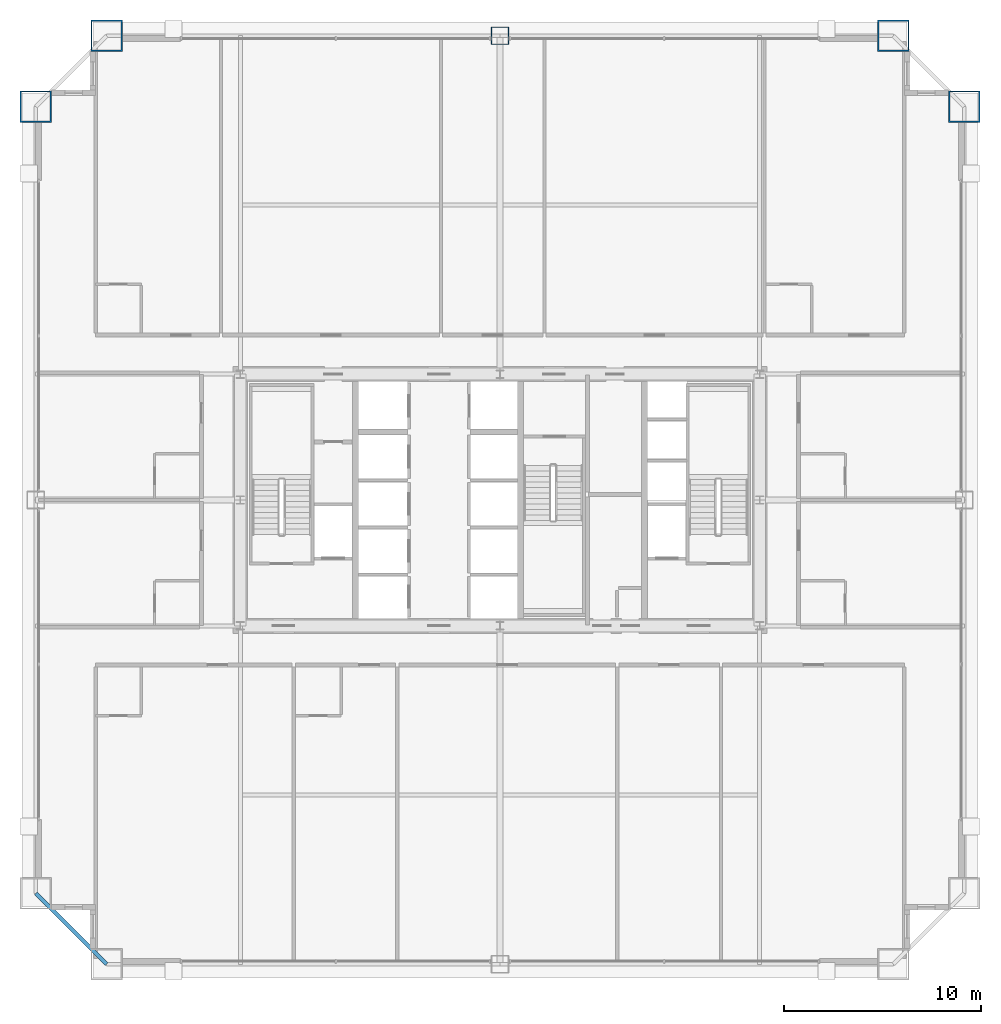
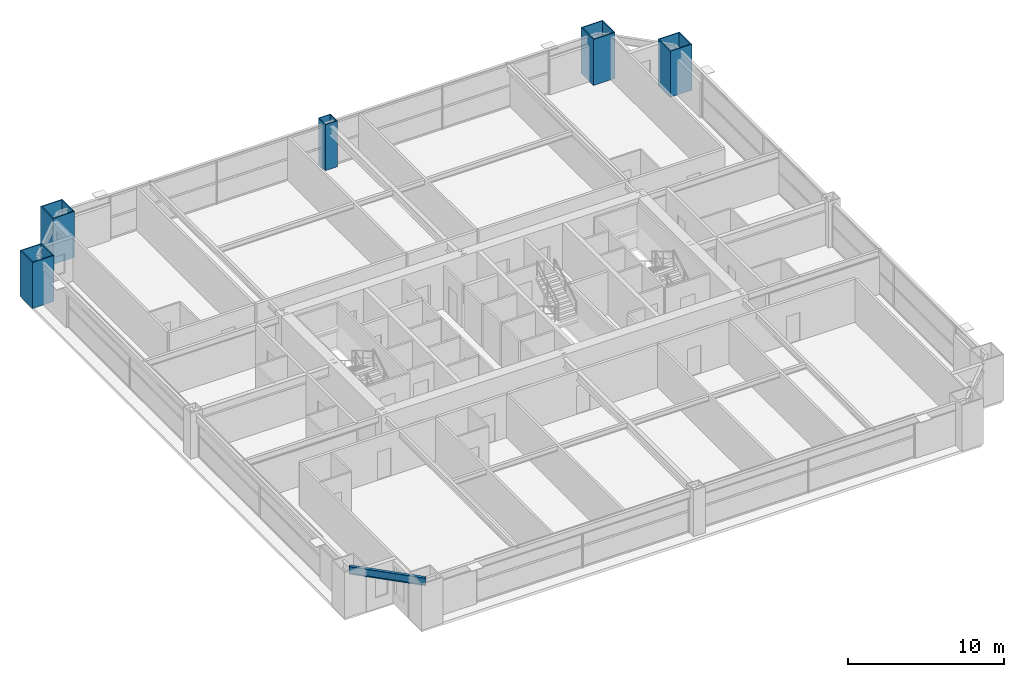
# One storey, part 3 of 39: 5 columns, 1 beam.
"""IFC4 building model written with IfcOpenShell, lengths in metres."""

from ifc_helpers import new_model, si_unit, direction, frame, origin, origin_2d, place, context, subcontext, project, spatial, hollow_rectangle, i_section, extrude, source, transform, mapped, material, material_profile, profile_set, type_object, element, save


model = new_model("IFC4")

# Units and contexts
model_context = context("Model", 3, precision=1e-05, world=origin(), true_north=direction((0.0, 1.0)))
body_context = subcontext(model_context, "Body", "Model", "MODEL_VIEW")
ifc_project = project(units=[si_unit("LENGTHUNIT", "METRE"), si_unit("AREAUNIT", "SQUARE_METRE"), si_unit("VOLUMEUNIT", "CUBIC_METRE"), si_unit("PLANEANGLEUNIT", "RADIAN"), si_unit("MASSUNIT", "GRAM", prefix="KILO"), si_unit("THERMODYNAMICTEMPERATUREUNIT", "KELVIN"), si_unit("POWERUNIT", "WATT")], contexts=[model_context])

# Site, building, storey
site_placement = place(None, origin())
site = spatial("IfcSite", under=ifc_project, at=site_placement, CompositionType="ELEMENT")
building_placement = place(site_placement, origin())
building = spatial("IfcBuilding", under=site, at=building_placement, Name="Yuzanri Waterfront Tower", CompositionType="ELEMENT")
storey_placement = place(building_placement, frame((0.0, 0.0, 141.60009765625)))
storey = spatial("IfcBuildingStorey", under=building, at=storey_placement, Name="L37", CompositionType="ELEMENT", Elevation=141.60009765625)

# Columns
ifc_material_1 = material(Name="Steel Q390GJC", Category="steel")
ifc_material_profile_1 = material_profile(ifc_material_1, hollow_rectangle(XDim=0.89990234375, YDim=0.89990234375, WallThickness=0.0419921875, at=origin_2d()), Name="RHS 900x900x42")
ifc_profile_set_1 = profile_set([ifc_material_profile_1], Name="Steel Q390GJC")
column_type_1 = type_object("IfcColumnType", Name="Frame Column Q390GJC RHS 900x900x42", PredefinedType="COLUMN", material=ifc_profile_set_1)
shared_shape_1 = source(origin(), body_context, "Body", "SweptSolid", [
    extrude(hollow_rectangle(XDim=0.89990234375, YDim=0.89990234375, WallThickness=0.0419921875, at=origin_2d()), origin(), (0.0, 0.0, 1.0), 3.599853515625),
])
column_placement = place(storey_placement, frame((37.0, 49.39990234375, 0.0), z_axis=(0.0, 0.0, 1.0), x_axis=(1.0, 0.0, 0.0)))
element("IfcColumn", 1, at=column_placement, inside=storey, type_object=column_type_1, Name="L37 Perimeter Frame Column N2", PredefinedType="COLUMN", context=body_context, shape_type="MappedRepresentation", body=[
    mapped(shared_shape_1, transform((0.0, 0.0, 0.0), scale=1.0)),
])
ifc_material_2 = material(Name="Steel Q420GJC", Category="steel")
ifc_material_profile_2 = material_profile(ifc_material_2, hollow_rectangle(XDim=1.60009765625, YDim=1.60009765625, WallThickness=0.070068359375, at=origin_2d()), Name="RHS 1600x1600x70")
ifc_profile_set_2 = profile_set([ifc_material_profile_2], Name="Steel Q420GJC")
column_type_2 = type_object("IfcColumnType", Name="Mega Column Q420GJC RHS 1600x1600x70", PredefinedType="COLUMN", material=ifc_profile_set_2)
shared_shape_2 = source(origin(), body_context, "Body", "SweptSolid", [
    extrude(hollow_rectangle(XDim=1.60009765625, YDim=1.60009765625, WallThickness=0.070068359375, at=origin_2d()), origin(), (0.0, 0.0, 1.0), 3.599853515625),
])
for number, where, z_axis, x_axis, name in (
    (2, (17.0, 49.39990234375, 0.0), (0.0, 0.0, 1.0), (1.0, 0.0, 0.0), "L37 Perimeter Mega Column N1"),
    (3, (57.0, 49.39990234375, 0.0), (0.0, 0.0, 1.0), (1.0, 0.0, 0.0), "L37 Perimeter Mega Column N3"),
    (4, (13.39990234375, 45.800048828125, 0.0), (0.0, 0.0, 1.0), (1.0, 0.0, 0.0), "L37 Perimeter Mega Column W3"),
    (5, (60.60009765625, 45.800048828125, 0.0), (0.0, 0.0, 1.0), (1.0, 0.0, 0.0), "L37 Perimeter Mega Column E3"),
):
    element("IfcColumn", number, at=place(storey_placement, frame(where, z_axis=z_axis, x_axis=x_axis)), inside=storey, type_object=column_type_2, Name=name, PredefinedType="COLUMN", context=body_context, shape_type="MappedRepresentation", body=[
        mapped(shared_shape_2, transform((0.0, 0.0, 0.0), scale=1.0)),
    ])

# Beam
ifc_material_3 = material(Name="Steel Q355B", Category="steel")
ifc_material_profile_3 = material_profile(ifc_material_3, i_section(OverallWidth=0.199951171875, OverallDepth=0.60009765625, WebThickness=0.010986328125, FlangeThickness=0.01708984375, at=origin_2d()), Name="HN 600x200x11x17")
ifc_profile_set_3 = profile_set([ifc_material_profile_3], Name="Steel Q355B")
beam_type = type_object("IfcBeamType", Name="Perimeter Spandrel Q355B HN 600x200", PredefinedType="SPANDREL", material=ifc_profile_set_3)
shared_shape_3 = source(origin(), body_context, "Body", "SweptSolid", [
    extrude(i_section(OverallWidth=0.199951171875, OverallDepth=0.60009765625, WebThickness=0.010986328125, FlangeThickness=0.01708984375, at=origin_2d()), origin(), (0.0, 0.0, 1.0), 5.09130859375),
])
beam_placement = place(storey_placement, frame((13.39990234375, 5.800048828125, 3.079833984375), z_axis=(0.707106781187, -0.707106781187, 0.0), x_axis=(0.707106781187, 0.707106781187, 0.0)))
element("IfcBeam", 6, at=beam_placement, inside=storey, type_object=beam_type, Name="L37 Perimeter Spandrel W1-S1", PredefinedType="SPANDREL", context=body_context, shape_type="MappedRepresentation", body=[
    mapped(shared_shape_3, transform((0.0, 0.0, 0.0), scale=1.0)),
])

save(model, "model.ifc")
